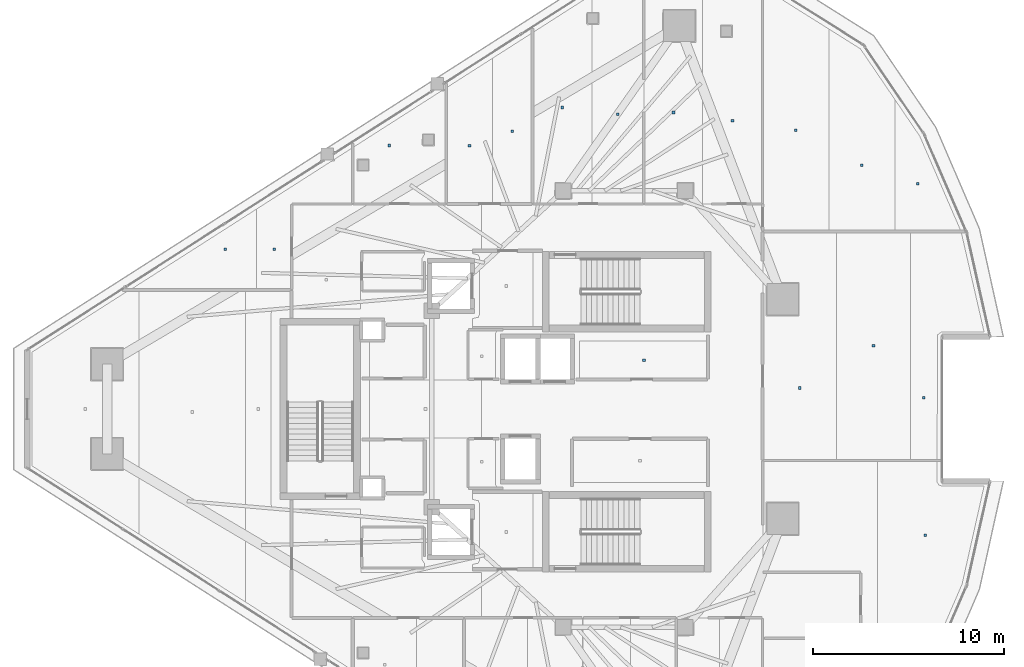
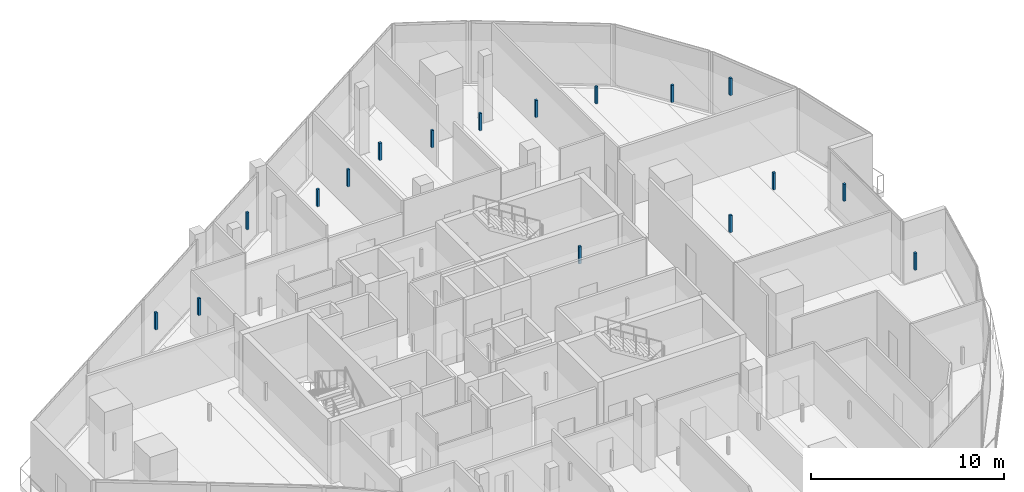
# One storey, part 27 of 33: 17 discrete accessories.
"""IFC4 building model written with IfcOpenShell, lengths in metres."""

from ifc_helpers import new_model, si_unit, direction, frame, origin, origin_2d, place, context, subcontext, project, spatial, rectangle, extrude, material, type_object, element, save


model = new_model("IFC4")

# Units and contexts
model_context = context("Model", 3, precision=1e-05, world=origin(), true_north=direction((0.0, 1.0)))
body_context = subcontext(model_context, "Body", "Model", "MODEL_VIEW")
ifc_project = project(units=[si_unit("LENGTHUNIT", "METRE"), si_unit("AREAUNIT", "SQUARE_METRE"), si_unit("VOLUMEUNIT", "CUBIC_METRE"), si_unit("PLANEANGLEUNIT", "RADIAN"), si_unit("MASSUNIT", "GRAM", prefix="KILO")], contexts=[model_context])

# Site, building, storey
site_placement = place(None, origin())
site = spatial("IfcSite", under=ifc_project, at=site_placement, CompositionType="ELEMENT")
building_placement = place(site_placement, origin())
building = spatial("IfcBuilding", under=site, at=building_placement, Name="Qorvath Tower", CompositionType="ELEMENT")
storey_placement = place(building_placement, frame((0.0, 0.0, 280.800048828125)))
storey = spatial("IfcBuildingStorey", under=building, at=storey_placement, Name="L65", CompositionType="ELEMENT", Elevation=280.800048828125)

# Discrete accessories
ifc_material = material(Name="Galvanised steel bracket", Category="steel")
discrete_accessory_type = type_object("IfcDiscreteAccessoryType", Name="DA-BRACKET", PredefinedType="BRACKET", material=ifc_material)
for number, where, z_axis, x_axis, name in (
    (1, (-19.37255859375, 2.5625, 2.85986328125), (0.0, 0.0, 1.0), (1.0, 0.0, 0.0), "Acoustic Ceiling Suspension Hanger T1-L65-003"),
    (2, (-32.732177734375, 13.828125, 2.85986328125), (0.0, 0.0, 1.0), (1.0, 0.0, 0.0), "Acoustic Ceiling Suspension Hanger T1-L65-014"),
    (3, (-28.527099609375, 13.812744140625, 2.85986328125), (0.0, 0.0, 1.0), (1.0, 0.0, 0.0), "Acoustic Ceiling Suspension Hanger T1-L65-015"),
    (4, (-26.273193359375, 14.578857421875, 2.85986328125), (0.0, 0.0, 1.0), (1.0, 0.0, 0.0), "Acoustic Ceiling Suspension Hanger T1-L65-016"),
    (5, (-23.65234375, 15.82373046875, 2.85986328125), (0.0, 0.0, 1.0), (1.0, 0.0, 0.0), "Acoustic Ceiling Suspension Hanger T1-L65-017"),
    (6, (-20.74169921875, 15.46484375, 2.85986328125), (0.0, 0.0, 1.0), (1.0, 0.0, 0.0), "Acoustic Ceiling Suspension Hanger T1-L65-018"),
    (7, (-17.823486328125, 15.554443359375, 2.85986328125), (0.0, 0.0, 1.0), (1.0, 0.0, 0.0), "Acoustic Ceiling Suspension Hanger T1-L65-019"),
    (8, (-14.720458984375, 15.1318359375, 2.85986328125), (0.0, 0.0, 1.0), (1.0, 0.0, 0.0), "Acoustic Ceiling Suspension Hanger T1-L65-020"),
    (9, (-4.60986328125, -6.621337890625, 2.85986328125), (0.0, 0.0, 1.0), (1.0, 0.0, 0.0), "Acoustic Ceiling Suspension Hanger T1-L65-032"),
    (10, (-11.20166015625, 1.1005859375, 2.85986328125), (0.0, 0.0, 1.0), (1.0, 0.0, 0.0), "Acoustic Ceiling Suspension Hanger T1-L65-033"),
    (11, (-7.3310546875, 3.310791015625, 2.85986328125), (0.0, 0.0, 1.0), (1.0, 0.0, 0.0), "Acoustic Ceiling Suspension Hanger T1-L65-034"),
    (12, (-4.687744140625, 0.5986328125, 2.85986328125), (0.0, 0.0, 1.0), (1.0, 0.0, 0.0), "Acoustic Ceiling Suspension Hanger T1-L65-035"),
    (13, (-11.404052734375, 14.633544921875, 2.85986328125), (0.0, 0.0, 1.0), (1.0, 0.0, 0.0), "Acoustic Ceiling Suspension Hanger T1-L65-036"),
    (14, (-7.93798828125, 12.782958984375, 2.85986328125), (0.0, 0.0, 1.0), (1.0, 0.0, 0.0), "Acoustic Ceiling Suspension Hanger T1-L65-037"),
    (15, (-5.011474609375, 11.8203125, 2.85986328125), (0.0, 0.0, 1.0), (1.0, 0.0, 0.0), "Acoustic Ceiling Suspension Hanger T1-L65-038"),
    (16, (-41.347900390625, 8.373779296875, 2.85986328125), (0.0, 0.0, 1.0), (1.0, 0.0, 0.0), "Acoustic Ceiling Suspension Hanger T1-L65-042"),
    (17, (-38.775390625, 8.373779296875, 2.85986328125), (0.0, 0.0, 1.0), (1.0, 0.0, 0.0), "Acoustic Ceiling Suspension Hanger T1-L65-043"),
):
    element("IfcDiscreteAccessory", number, at=place(storey_placement, frame(where, z_axis=z_axis, x_axis=x_axis)), inside=storey, type_object=discrete_accessory_type, Name=name, PredefinedType="NOTDEFINED", context=body_context, shape_type="SweptSolid", body=[
        extrude(rectangle(XDim=0.139892578125, YDim=0.139892578125, at=origin_2d()), origin(), (0.0, 0.0, 1.0), 1.080078125),
    ])

save(model, "model.ifc")
